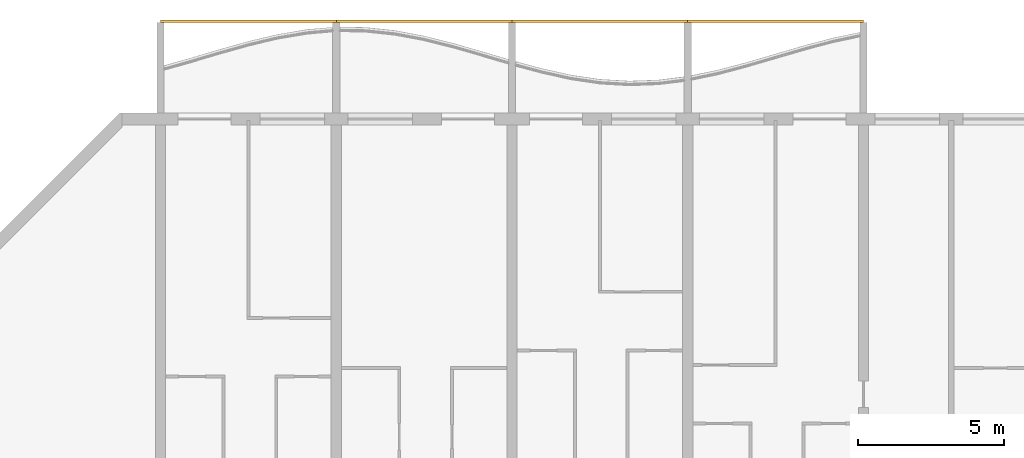
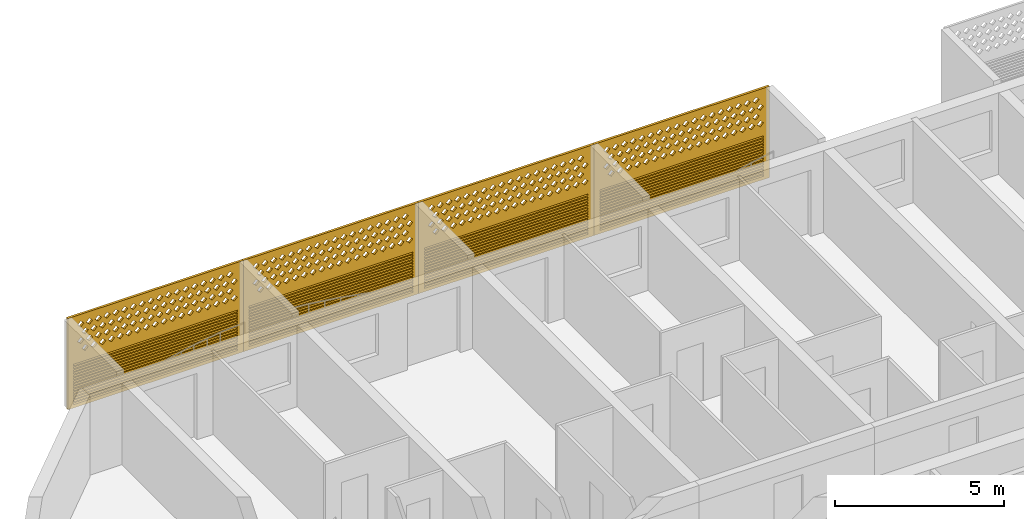
# One storey, part 18 of 24: 4 coverings.
"""IFC4 building model written with IfcOpenShell, lengths in metres."""

from ifc_helpers import new_model, si_unit, direction, frame, origin, place, context, subcontext, project, spatial, polyline, outline, extrude, source, transform, mapped, material, material_profile, profile_set, type_object, element, save


model = new_model("IFC4")

# Units and contexts
model_context = context("Model", 3, precision=1e-05, world=origin(), true_north=direction((0.0, 1.0)))
body_context = subcontext(model_context, "Body", "Model", "MODEL_VIEW")
ifc_project = project(units=[si_unit("LENGTHUNIT", "METRE"), si_unit("AREAUNIT", "SQUARE_METRE"), si_unit("VOLUMEUNIT", "CUBIC_METRE"), si_unit("PLANEANGLEUNIT", "RADIAN"), si_unit("MASSUNIT", "GRAM", prefix="KILO")], contexts=[model_context])

# Site, building, storey
site_placement = place(None, origin())
site = spatial("IfcSite", under=ifc_project, at=site_placement, CompositionType="ELEMENT")
building_placement = place(site_placement, origin())
building = spatial("IfcBuilding", under=site, at=building_placement, Name="Poui Terraces", CompositionType="ELEMENT")
storey_placement = place(building_placement, frame((0.0, 0.0, 112.5)))
storey = spatial("IfcBuildingStorey", under=building, at=storey_placement, Name="L31", CompositionType="ELEMENT", Elevation=112.5)

# Coverings
ifc_material = material(Name="Terracotta screen", Category="masonry")
ifc_material_profile = material_profile(ifc_material, outline(polyline([(-3.0, -1.64990234375), (3.0, -1.64990234375), (3.0, 1.64990234375), (-3.0, 1.64990234375), (-3.0, -1.64990234375)]), holes=[polyline([(-2.800048828125, 0.39990234375), (-2.68994140625, 0.2900390625), (-2.580078125, 0.39990234375), (-2.68994140625, 0.510009765625), (-2.800048828125, 0.39990234375)]), polyline([(-2.5, 0.39990234375), (-2.389892578125, 0.2900390625), (-2.280029296875, 0.39990234375), (-2.389892578125, 0.510009765625), (-2.5, 0.39990234375)]), polyline([(-2.199951171875, 0.39990234375), (-2.090087890625, 0.2900390625), (-1.97998046875, 0.39990234375), (-2.090087890625, 0.510009765625), (-2.199951171875, 0.39990234375)]), polyline([(-1.89990234375, 0.39990234375), (-1.7900390625, 0.2900390625), (-1.679931640625, 0.39990234375), (-1.7900390625, 0.510009765625), (-1.89990234375, 0.39990234375)]), polyline([(-1.60009765625, 0.39990234375), (-1.489990234375, 0.2900390625), (-1.3798828125, 0.39990234375), (-1.489990234375, 0.510009765625), (-1.60009765625, 0.39990234375)]), polyline([(-1.300048828125, 0.39990234375), (-1.18994140625, 0.2900390625), (-1.080078125, 0.39990234375), (-1.18994140625, 0.510009765625), (-1.300048828125, 0.39990234375)]), polyline([(-1.0, 0.39990234375), (-0.889892578125, 0.2900390625), (-0.780029296875, 0.39990234375), (-0.889892578125, 0.510009765625), (-1.0, 0.39990234375)]), polyline([(-0.699951171875, 0.39990234375), (-0.590087890625, 0.2900390625), (-0.47998046875, 0.39990234375), (-0.590087890625, 0.510009765625), (-0.699951171875, 0.39990234375)]), polyline([(-0.39990234375, 0.39990234375), (-0.2900390625, 0.2900390625), (-0.179931640625, 0.39990234375), (-0.2900390625, 0.510009765625), (-0.39990234375, 0.39990234375)]), polyline([(-0.10009765625, 0.39990234375), (0.010009765625, 0.2900390625), (0.1201171875, 0.39990234375), (0.010009765625, 0.510009765625), (-0.10009765625, 0.39990234375)]), polyline([(0.199951171875, 0.39990234375), (0.31005859375, 0.2900390625), (0.419921875, 0.39990234375), (0.31005859375, 0.510009765625), (0.199951171875, 0.39990234375)]), polyline([(0.5, 0.39990234375), (0.610107421875, 0.2900390625), (0.719970703125, 0.39990234375), (0.610107421875, 0.510009765625), (0.5, 0.39990234375)]), polyline([(0.800048828125, 0.39990234375), (0.909912109375, 0.2900390625), (1.02001953125, 0.39990234375), (0.909912109375, 0.510009765625), (0.800048828125, 0.39990234375)]), polyline([(1.10009765625, 0.39990234375), (1.2099609375, 0.2900390625), (1.320068359375, 0.39990234375), (1.2099609375, 0.510009765625), (1.10009765625, 0.39990234375)]), polyline([(1.39990234375, 0.39990234375), (1.510009765625, 0.2900390625), (1.6201171875, 0.39990234375), (1.510009765625, 0.510009765625), (1.39990234375, 0.39990234375)]), polyline([(1.699951171875, 0.39990234375), (1.81005859375, 0.2900390625), (1.919921875, 0.39990234375), (1.81005859375, 0.510009765625), (1.699951171875, 0.39990234375)]), polyline([(2.0, 0.39990234375), (2.110107421875, 0.2900390625), (2.219970703125, 0.39990234375), (2.110107421875, 0.510009765625), (2.0, 0.39990234375)]), polyline([(2.300048828125, 0.39990234375), (2.409912109375, 0.2900390625), (2.52001953125, 0.39990234375), (2.409912109375, 0.510009765625), (2.300048828125, 0.39990234375)]), polyline([(-2.64990234375, 0.699951171875), (-2.5400390625, 0.590087890625), (-2.429931640625, 0.699951171875), (-2.5400390625, 0.81005859375), (-2.64990234375, 0.699951171875)]), polyline([(-2.35009765625, 0.699951171875), (-2.239990234375, 0.590087890625), (-2.1298828125, 0.699951171875), (-2.239990234375, 0.81005859375), (-2.35009765625, 0.699951171875)]), polyline([(-2.050048828125, 0.699951171875), (-1.93994140625, 0.590087890625), (-1.830078125, 0.699951171875), (-1.93994140625, 0.81005859375), (-2.050048828125, 0.699951171875)]), polyline([(-1.75, 0.699951171875), (-1.639892578125, 0.590087890625), (-1.530029296875, 0.699951171875), (-1.639892578125, 0.81005859375), (-1.75, 0.699951171875)]), polyline([(-1.449951171875, 0.699951171875), (-1.340087890625, 0.590087890625), (-1.22998046875, 0.699951171875), (-1.340087890625, 0.81005859375), (-1.449951171875, 0.699951171875)]), polyline([(-1.14990234375, 0.699951171875), (-1.0400390625, 0.590087890625), (-0.929931640625, 0.699951171875), (-1.0400390625, 0.81005859375), (-1.14990234375, 0.699951171875)]), polyline([(-0.85009765625, 0.699951171875), (-0.739990234375, 0.590087890625), (-0.6298828125, 0.699951171875), (-0.739990234375, 0.81005859375), (-0.85009765625, 0.699951171875)]), polyline([(-0.550048828125, 0.699951171875), (-0.43994140625, 0.590087890625), (-0.330078125, 0.699951171875), (-0.43994140625, 0.81005859375), (-0.550048828125, 0.699951171875)]), polyline([(-0.25, 0.699951171875), (-0.139892578125, 0.590087890625), (-0.030029296875, 0.699951171875), (-0.139892578125, 0.81005859375), (-0.25, 0.699951171875)]), polyline([(0.050048828125, 0.699951171875), (0.159912109375, 0.590087890625), (0.27001953125, 0.699951171875), (0.159912109375, 0.81005859375), (0.050048828125, 0.699951171875)]), polyline([(0.35009765625, 0.699951171875), (0.4599609375, 0.590087890625), (0.570068359375, 0.699951171875), (0.4599609375, 0.81005859375), (0.35009765625, 0.699951171875)]), polyline([(0.64990234375, 0.699951171875), (0.760009765625, 0.590087890625), (0.8701171875, 0.699951171875), (0.760009765625, 0.81005859375), (0.64990234375, 0.699951171875)]), polyline([(0.949951171875, 0.699951171875), (1.06005859375, 0.590087890625), (1.169921875, 0.699951171875), (1.06005859375, 0.81005859375), (0.949951171875, 0.699951171875)]), polyline([(1.25, 0.699951171875), (1.360107421875, 0.590087890625), (1.469970703125, 0.699951171875), (1.360107421875, 0.81005859375), (1.25, 0.699951171875)]), polyline([(1.550048828125, 0.699951171875), (1.659912109375, 0.590087890625), (1.77001953125, 0.699951171875), (1.659912109375, 0.81005859375), (1.550048828125, 0.699951171875)]), polyline([(1.85009765625, 0.699951171875), (1.9599609375, 0.590087890625), (2.070068359375, 0.699951171875), (1.9599609375, 0.81005859375), (1.85009765625, 0.699951171875)]), polyline([(2.14990234375, 0.699951171875), (2.260009765625, 0.590087890625), (2.3701171875, 0.699951171875), (2.260009765625, 0.81005859375), (2.14990234375, 0.699951171875)]), polyline([(2.449951171875, 0.699951171875), (2.56005859375, 0.590087890625), (2.669921875, 0.699951171875), (2.56005859375, 0.81005859375), (2.449951171875, 0.699951171875)]), polyline([(-2.800048828125, 1.0), (-2.68994140625, 0.889892578125), (-2.580078125, 1.0), (-2.68994140625, 1.110107421875), (-2.800048828125, 1.0)]), polyline([(-2.5, 1.0), (-2.389892578125, 0.889892578125), (-2.280029296875, 1.0), (-2.389892578125, 1.110107421875), (-2.5, 1.0)]), polyline([(-2.199951171875, 1.0), (-2.090087890625, 0.889892578125), (-1.97998046875, 1.0), (-2.090087890625, 1.110107421875), (-2.199951171875, 1.0)]), polyline([(-1.89990234375, 1.0), (-1.7900390625, 0.889892578125), (-1.679931640625, 1.0), (-1.7900390625, 1.110107421875), (-1.89990234375, 1.0)]), polyline([(-1.60009765625, 1.0), (-1.489990234375, 0.889892578125), (-1.3798828125, 1.0), (-1.489990234375, 1.110107421875), (-1.60009765625, 1.0)]), polyline([(-1.300048828125, 1.0), (-1.18994140625, 0.889892578125), (-1.080078125, 1.0), (-1.18994140625, 1.110107421875), (-1.300048828125, 1.0)]), polyline([(-1.0, 1.0), (-0.889892578125, 0.889892578125), (-0.780029296875, 1.0), (-0.889892578125, 1.110107421875), (-1.0, 1.0)]), polyline([(-0.699951171875, 1.0), (-0.590087890625, 0.889892578125), (-0.47998046875, 1.0), (-0.590087890625, 1.110107421875), (-0.699951171875, 1.0)]), polyline([(-0.39990234375, 1.0), (-0.2900390625, 0.889892578125), (-0.179931640625, 1.0), (-0.2900390625, 1.110107421875), (-0.39990234375, 1.0)]), polyline([(-0.10009765625, 1.0), (0.010009765625, 0.889892578125), (0.1201171875, 1.0), (0.010009765625, 1.110107421875), (-0.10009765625, 1.0)]), polyline([(0.199951171875, 1.0), (0.31005859375, 0.889892578125), (0.419921875, 1.0), (0.31005859375, 1.110107421875), (0.199951171875, 1.0)]), polyline([(0.5, 1.0), (0.610107421875, 0.889892578125), (0.719970703125, 1.0), (0.610107421875, 1.110107421875), (0.5, 1.0)]), polyline([(0.800048828125, 1.0), (0.909912109375, 0.889892578125), (1.02001953125, 1.0), (0.909912109375, 1.110107421875), (0.800048828125, 1.0)]), polyline([(1.10009765625, 1.0), (1.2099609375, 0.889892578125), (1.320068359375, 1.0), (1.2099609375, 1.110107421875), (1.10009765625, 1.0)]), polyline([(1.39990234375, 1.0), (1.510009765625, 0.889892578125), (1.6201171875, 1.0), (1.510009765625, 1.110107421875), (1.39990234375, 1.0)]), polyline([(1.699951171875, 1.0), (1.81005859375, 0.889892578125), (1.919921875, 1.0), (1.81005859375, 1.110107421875), (1.699951171875, 1.0)]), polyline([(2.0, 1.0), (2.110107421875, 0.889892578125), (2.219970703125, 1.0), (2.110107421875, 1.110107421875), (2.0, 1.0)]), polyline([(2.300048828125, 1.0), (2.409912109375, 0.889892578125), (2.52001953125, 1.0), (2.409912109375, 1.110107421875), (2.300048828125, 1.0)]), polyline([(-2.64990234375, 1.300048828125), (-2.5400390625, 1.18994140625), (-2.429931640625, 1.300048828125), (-2.5400390625, 1.409912109375), (-2.64990234375, 1.300048828125)]), polyline([(-2.35009765625, 1.300048828125), (-2.239990234375, 1.18994140625), (-2.1298828125, 1.300048828125), (-2.239990234375, 1.409912109375), (-2.35009765625, 1.300048828125)]), polyline([(-2.050048828125, 1.300048828125), (-1.93994140625, 1.18994140625), (-1.830078125, 1.300048828125), (-1.93994140625, 1.409912109375), (-2.050048828125, 1.300048828125)]), polyline([(-1.75, 1.300048828125), (-1.639892578125, 1.18994140625), (-1.530029296875, 1.300048828125), (-1.639892578125, 1.409912109375), (-1.75, 1.300048828125)]), polyline([(-1.449951171875, 1.300048828125), (-1.340087890625, 1.18994140625), (-1.22998046875, 1.300048828125), (-1.340087890625, 1.409912109375), (-1.449951171875, 1.300048828125)]), polyline([(-1.14990234375, 1.300048828125), (-1.0400390625, 1.18994140625), (-0.929931640625, 1.300048828125), (-1.0400390625, 1.409912109375), (-1.14990234375, 1.300048828125)]), polyline([(-0.85009765625, 1.300048828125), (-0.739990234375, 1.18994140625), (-0.6298828125, 1.300048828125), (-0.739990234375, 1.409912109375), (-0.85009765625, 1.300048828125)]), polyline([(-0.550048828125, 1.300048828125), (-0.43994140625, 1.18994140625), (-0.330078125, 1.300048828125), (-0.43994140625, 1.409912109375), (-0.550048828125, 1.300048828125)]), polyline([(-0.25, 1.300048828125), (-0.139892578125, 1.18994140625), (-0.030029296875, 1.300048828125), (-0.139892578125, 1.409912109375), (-0.25, 1.300048828125)]), polyline([(0.050048828125, 1.300048828125), (0.159912109375, 1.18994140625), (0.27001953125, 1.300048828125), (0.159912109375, 1.409912109375), (0.050048828125, 1.300048828125)]), polyline([(0.35009765625, 1.300048828125), (0.4599609375, 1.18994140625), (0.570068359375, 1.300048828125), (0.4599609375, 1.409912109375), (0.35009765625, 1.300048828125)]), polyline([(0.64990234375, 1.300048828125), (0.760009765625, 1.18994140625), (0.8701171875, 1.300048828125), (0.760009765625, 1.409912109375), (0.64990234375, 1.300048828125)]), polyline([(0.949951171875, 1.300048828125), (1.06005859375, 1.18994140625), (1.169921875, 1.300048828125), (1.06005859375, 1.409912109375), (0.949951171875, 1.300048828125)]), polyline([(1.25, 1.300048828125), (1.360107421875, 1.18994140625), (1.469970703125, 1.300048828125), (1.360107421875, 1.409912109375), (1.25, 1.300048828125)]), polyline([(1.550048828125, 1.300048828125), (1.659912109375, 1.18994140625), (1.77001953125, 1.300048828125), (1.659912109375, 1.409912109375), (1.550048828125, 1.300048828125)]), polyline([(1.85009765625, 1.300048828125), (1.9599609375, 1.18994140625), (2.070068359375, 1.300048828125), (1.9599609375, 1.409912109375), (1.85009765625, 1.300048828125)]), polyline([(2.14990234375, 1.300048828125), (2.260009765625, 1.18994140625), (2.3701171875, 1.300048828125), (2.260009765625, 1.409912109375), (2.14990234375, 1.300048828125)]), polyline([(2.449951171875, 1.300048828125), (2.56005859375, 1.18994140625), (2.669921875, 1.300048828125), (2.56005859375, 1.409912109375), (2.449951171875, 1.300048828125)]), polyline([(-2.800048828125, -1.530029296875), (2.800048828125, -1.530029296875), (2.800048828125, -1.469970703125), (-2.800048828125, -1.469970703125), (-2.800048828125, -1.530029296875)]), polyline([(-2.800048828125, -1.429931640625), (2.800048828125, -1.429931640625), (2.800048828125, -1.3701171875), (-2.800048828125, -1.3701171875), (-2.800048828125, -1.429931640625)]), polyline([(-2.800048828125, -1.330078125), (2.800048828125, -1.330078125), (2.800048828125, -1.27001953125), (-2.800048828125, -1.27001953125), (-2.800048828125, -1.330078125)]), polyline([(-2.800048828125, -1.22998046875), (2.800048828125, -1.22998046875), (2.800048828125, -1.169921875), (-2.800048828125, -1.169921875), (-2.800048828125, -1.22998046875)]), polyline([(-2.800048828125, -1.1298828125), (2.800048828125, -1.1298828125), (2.800048828125, -1.070068359375), (-2.800048828125, -1.070068359375), (-2.800048828125, -1.1298828125)]), polyline([(-2.800048828125, -1.030029296875), (2.800048828125, -1.030029296875), (2.800048828125, -0.969970703125), (-2.800048828125, -0.969970703125), (-2.800048828125, -1.030029296875)]), polyline([(-2.800048828125, -0.929931640625), (2.800048828125, -0.929931640625), (2.800048828125, -0.8701171875), (-2.800048828125, -0.8701171875), (-2.800048828125, -0.929931640625)]), polyline([(-2.800048828125, -0.830078125), (2.800048828125, -0.830078125), (2.800048828125, -0.77001953125), (-2.800048828125, -0.77001953125), (-2.800048828125, -0.830078125)]), polyline([(-2.800048828125, -0.72998046875), (2.800048828125, -0.72998046875), (2.800048828125, -0.669921875), (-2.800048828125, -0.669921875), (-2.800048828125, -0.72998046875)]), polyline([(-2.800048828125, -0.6298828125), (2.800048828125, -0.6298828125), (2.800048828125, -0.570068359375), (-2.800048828125, -0.570068359375), (-2.800048828125, -0.6298828125)]), polyline([(-2.800048828125, -0.530029296875), (2.800048828125, -0.530029296875), (2.800048828125, -0.469970703125), (-2.800048828125, -0.469970703125), (-2.800048828125, -0.530029296875)]), polyline([(-2.800048828125, -0.429931640625), (2.800048828125, -0.429931640625), (2.800048828125, -0.3701171875), (-2.800048828125, -0.3701171875), (-2.800048828125, -0.429931640625)]), polyline([(-2.800048828125, -0.330078125), (2.800048828125, -0.330078125), (2.800048828125, -0.27001953125), (-2.800048828125, -0.27001953125), (-2.800048828125, -0.330078125)]), polyline([(-2.800048828125, -0.22998046875), (2.800048828125, -0.22998046875), (2.800048828125, -0.169921875), (-2.800048828125, -0.169921875), (-2.800048828125, -0.22998046875)]), polyline([(-2.800048828125, -0.1298828125), (2.800048828125, -0.1298828125), (2.800048828125, -0.070068359375), (-2.800048828125, -0.070068359375), (-2.800048828125, -0.1298828125)])]), Name="TERRACOTTA SCREEN AND JALOUSIE LOUVRE 6000X3300")
ifc_profile_set = profile_set([ifc_material_profile], Name="Terracotta screen")
covering_type = type_object("IfcCoveringType", Name="TERRACOTTA SCREEN AND JALOUSIE LOUVRE 6000X3300", PredefinedType="CLADDING", material=ifc_profile_set)
shared_shape = source(origin(), body_context, "Body", "SweptSolid", [
    extrude(outline(polyline([(-3.0, -1.64990234375), (3.0, -1.64990234375), (3.0, 1.64990234375), (-3.0, 1.64990234375), (-3.0, -1.64990234375)]), holes=[polyline([(-2.800048828125, 0.39990234375), (-2.68994140625, 0.2900390625), (-2.580078125, 0.39990234375), (-2.68994140625, 0.510009765625), (-2.800048828125, 0.39990234375)]), polyline([(-2.5, 0.39990234375), (-2.389892578125, 0.2900390625), (-2.280029296875, 0.39990234375), (-2.389892578125, 0.510009765625), (-2.5, 0.39990234375)]), polyline([(-2.199951171875, 0.39990234375), (-2.090087890625, 0.2900390625), (-1.97998046875, 0.39990234375), (-2.090087890625, 0.510009765625), (-2.199951171875, 0.39990234375)]), polyline([(-1.89990234375, 0.39990234375), (-1.7900390625, 0.2900390625), (-1.679931640625, 0.39990234375), (-1.7900390625, 0.510009765625), (-1.89990234375, 0.39990234375)]), polyline([(-1.60009765625, 0.39990234375), (-1.489990234375, 0.2900390625), (-1.3798828125, 0.39990234375), (-1.489990234375, 0.510009765625), (-1.60009765625, 0.39990234375)]), polyline([(-1.300048828125, 0.39990234375), (-1.18994140625, 0.2900390625), (-1.080078125, 0.39990234375), (-1.18994140625, 0.510009765625), (-1.300048828125, 0.39990234375)]), polyline([(-1.0, 0.39990234375), (-0.889892578125, 0.2900390625), (-0.780029296875, 0.39990234375), (-0.889892578125, 0.510009765625), (-1.0, 0.39990234375)]), polyline([(-0.699951171875, 0.39990234375), (-0.590087890625, 0.2900390625), (-0.47998046875, 0.39990234375), (-0.590087890625, 0.510009765625), (-0.699951171875, 0.39990234375)]), polyline([(-0.39990234375, 0.39990234375), (-0.2900390625, 0.2900390625), (-0.179931640625, 0.39990234375), (-0.2900390625, 0.510009765625), (-0.39990234375, 0.39990234375)]), polyline([(-0.10009765625, 0.39990234375), (0.010009765625, 0.2900390625), (0.1201171875, 0.39990234375), (0.010009765625, 0.510009765625), (-0.10009765625, 0.39990234375)]), polyline([(0.199951171875, 0.39990234375), (0.31005859375, 0.2900390625), (0.419921875, 0.39990234375), (0.31005859375, 0.510009765625), (0.199951171875, 0.39990234375)]), polyline([(0.5, 0.39990234375), (0.610107421875, 0.2900390625), (0.719970703125, 0.39990234375), (0.610107421875, 0.510009765625), (0.5, 0.39990234375)]), polyline([(0.800048828125, 0.39990234375), (0.909912109375, 0.2900390625), (1.02001953125, 0.39990234375), (0.909912109375, 0.510009765625), (0.800048828125, 0.39990234375)]), polyline([(1.10009765625, 0.39990234375), (1.2099609375, 0.2900390625), (1.320068359375, 0.39990234375), (1.2099609375, 0.510009765625), (1.10009765625, 0.39990234375)]), polyline([(1.39990234375, 0.39990234375), (1.510009765625, 0.2900390625), (1.6201171875, 0.39990234375), (1.510009765625, 0.510009765625), (1.39990234375, 0.39990234375)]), polyline([(1.699951171875, 0.39990234375), (1.81005859375, 0.2900390625), (1.919921875, 0.39990234375), (1.81005859375, 0.510009765625), (1.699951171875, 0.39990234375)]), polyline([(2.0, 0.39990234375), (2.110107421875, 0.2900390625), (2.219970703125, 0.39990234375), (2.110107421875, 0.510009765625), (2.0, 0.39990234375)]), polyline([(2.300048828125, 0.39990234375), (2.409912109375, 0.2900390625), (2.52001953125, 0.39990234375), (2.409912109375, 0.510009765625), (2.300048828125, 0.39990234375)]), polyline([(-2.64990234375, 0.699951171875), (-2.5400390625, 0.590087890625), (-2.429931640625, 0.699951171875), (-2.5400390625, 0.81005859375), (-2.64990234375, 0.699951171875)]), polyline([(-2.35009765625, 0.699951171875), (-2.239990234375, 0.590087890625), (-2.1298828125, 0.699951171875), (-2.239990234375, 0.81005859375), (-2.35009765625, 0.699951171875)]), polyline([(-2.050048828125, 0.699951171875), (-1.93994140625, 0.590087890625), (-1.830078125, 0.699951171875), (-1.93994140625, 0.81005859375), (-2.050048828125, 0.699951171875)]), polyline([(-1.75, 0.699951171875), (-1.639892578125, 0.590087890625), (-1.530029296875, 0.699951171875), (-1.639892578125, 0.81005859375), (-1.75, 0.699951171875)]), polyline([(-1.449951171875, 0.699951171875), (-1.340087890625, 0.590087890625), (-1.22998046875, 0.699951171875), (-1.340087890625, 0.81005859375), (-1.449951171875, 0.699951171875)]), polyline([(-1.14990234375, 0.699951171875), (-1.0400390625, 0.590087890625), (-0.929931640625, 0.699951171875), (-1.0400390625, 0.81005859375), (-1.14990234375, 0.699951171875)]), polyline([(-0.85009765625, 0.699951171875), (-0.739990234375, 0.590087890625), (-0.6298828125, 0.699951171875), (-0.739990234375, 0.81005859375), (-0.85009765625, 0.699951171875)]), polyline([(-0.550048828125, 0.699951171875), (-0.43994140625, 0.590087890625), (-0.330078125, 0.699951171875), (-0.43994140625, 0.81005859375), (-0.550048828125, 0.699951171875)]), polyline([(-0.25, 0.699951171875), (-0.139892578125, 0.590087890625), (-0.030029296875, 0.699951171875), (-0.139892578125, 0.81005859375), (-0.25, 0.699951171875)]), polyline([(0.050048828125, 0.699951171875), (0.159912109375, 0.590087890625), (0.27001953125, 0.699951171875), (0.159912109375, 0.81005859375), (0.050048828125, 0.699951171875)]), polyline([(0.35009765625, 0.699951171875), (0.4599609375, 0.590087890625), (0.570068359375, 0.699951171875), (0.4599609375, 0.81005859375), (0.35009765625, 0.699951171875)]), polyline([(0.64990234375, 0.699951171875), (0.760009765625, 0.590087890625), (0.8701171875, 0.699951171875), (0.760009765625, 0.81005859375), (0.64990234375, 0.699951171875)]), polyline([(0.949951171875, 0.699951171875), (1.06005859375, 0.590087890625), (1.169921875, 0.699951171875), (1.06005859375, 0.81005859375), (0.949951171875, 0.699951171875)]), polyline([(1.25, 0.699951171875), (1.360107421875, 0.590087890625), (1.469970703125, 0.699951171875), (1.360107421875, 0.81005859375), (1.25, 0.699951171875)]), polyline([(1.550048828125, 0.699951171875), (1.659912109375, 0.590087890625), (1.77001953125, 0.699951171875), (1.659912109375, 0.81005859375), (1.550048828125, 0.699951171875)]), polyline([(1.85009765625, 0.699951171875), (1.9599609375, 0.590087890625), (2.070068359375, 0.699951171875), (1.9599609375, 0.81005859375), (1.85009765625, 0.699951171875)]), polyline([(2.14990234375, 0.699951171875), (2.260009765625, 0.590087890625), (2.3701171875, 0.699951171875), (2.260009765625, 0.81005859375), (2.14990234375, 0.699951171875)]), polyline([(2.449951171875, 0.699951171875), (2.56005859375, 0.590087890625), (2.669921875, 0.699951171875), (2.56005859375, 0.81005859375), (2.449951171875, 0.699951171875)]), polyline([(-2.800048828125, 1.0), (-2.68994140625, 0.889892578125), (-2.580078125, 1.0), (-2.68994140625, 1.110107421875), (-2.800048828125, 1.0)]), polyline([(-2.5, 1.0), (-2.389892578125, 0.889892578125), (-2.280029296875, 1.0), (-2.389892578125, 1.110107421875), (-2.5, 1.0)]), polyline([(-2.199951171875, 1.0), (-2.090087890625, 0.889892578125), (-1.97998046875, 1.0), (-2.090087890625, 1.110107421875), (-2.199951171875, 1.0)]), polyline([(-1.89990234375, 1.0), (-1.7900390625, 0.889892578125), (-1.679931640625, 1.0), (-1.7900390625, 1.110107421875), (-1.89990234375, 1.0)]), polyline([(-1.60009765625, 1.0), (-1.489990234375, 0.889892578125), (-1.3798828125, 1.0), (-1.489990234375, 1.110107421875), (-1.60009765625, 1.0)]), polyline([(-1.300048828125, 1.0), (-1.18994140625, 0.889892578125), (-1.080078125, 1.0), (-1.18994140625, 1.110107421875), (-1.300048828125, 1.0)]), polyline([(-1.0, 1.0), (-0.889892578125, 0.889892578125), (-0.780029296875, 1.0), (-0.889892578125, 1.110107421875), (-1.0, 1.0)]), polyline([(-0.699951171875, 1.0), (-0.590087890625, 0.889892578125), (-0.47998046875, 1.0), (-0.590087890625, 1.110107421875), (-0.699951171875, 1.0)]), polyline([(-0.39990234375, 1.0), (-0.2900390625, 0.889892578125), (-0.179931640625, 1.0), (-0.2900390625, 1.110107421875), (-0.39990234375, 1.0)]), polyline([(-0.10009765625, 1.0), (0.010009765625, 0.889892578125), (0.1201171875, 1.0), (0.010009765625, 1.110107421875), (-0.10009765625, 1.0)]), polyline([(0.199951171875, 1.0), (0.31005859375, 0.889892578125), (0.419921875, 1.0), (0.31005859375, 1.110107421875), (0.199951171875, 1.0)]), polyline([(0.5, 1.0), (0.610107421875, 0.889892578125), (0.719970703125, 1.0), (0.610107421875, 1.110107421875), (0.5, 1.0)]), polyline([(0.800048828125, 1.0), (0.909912109375, 0.889892578125), (1.02001953125, 1.0), (0.909912109375, 1.110107421875), (0.800048828125, 1.0)]), polyline([(1.10009765625, 1.0), (1.2099609375, 0.889892578125), (1.320068359375, 1.0), (1.2099609375, 1.110107421875), (1.10009765625, 1.0)]), polyline([(1.39990234375, 1.0), (1.510009765625, 0.889892578125), (1.6201171875, 1.0), (1.510009765625, 1.110107421875), (1.39990234375, 1.0)]), polyline([(1.699951171875, 1.0), (1.81005859375, 0.889892578125), (1.919921875, 1.0), (1.81005859375, 1.110107421875), (1.699951171875, 1.0)]), polyline([(2.0, 1.0), (2.110107421875, 0.889892578125), (2.219970703125, 1.0), (2.110107421875, 1.110107421875), (2.0, 1.0)]), polyline([(2.300048828125, 1.0), (2.409912109375, 0.889892578125), (2.52001953125, 1.0), (2.409912109375, 1.110107421875), (2.300048828125, 1.0)]), polyline([(-2.64990234375, 1.300048828125), (-2.5400390625, 1.18994140625), (-2.429931640625, 1.300048828125), (-2.5400390625, 1.409912109375), (-2.64990234375, 1.300048828125)]), polyline([(-2.35009765625, 1.300048828125), (-2.239990234375, 1.18994140625), (-2.1298828125, 1.300048828125), (-2.239990234375, 1.409912109375), (-2.35009765625, 1.300048828125)]), polyline([(-2.050048828125, 1.300048828125), (-1.93994140625, 1.18994140625), (-1.830078125, 1.300048828125), (-1.93994140625, 1.409912109375), (-2.050048828125, 1.300048828125)]), polyline([(-1.75, 1.300048828125), (-1.639892578125, 1.18994140625), (-1.530029296875, 1.300048828125), (-1.639892578125, 1.409912109375), (-1.75, 1.300048828125)]), polyline([(-1.449951171875, 1.300048828125), (-1.340087890625, 1.18994140625), (-1.22998046875, 1.300048828125), (-1.340087890625, 1.409912109375), (-1.449951171875, 1.300048828125)]), polyline([(-1.14990234375, 1.300048828125), (-1.0400390625, 1.18994140625), (-0.929931640625, 1.300048828125), (-1.0400390625, 1.409912109375), (-1.14990234375, 1.300048828125)]), polyline([(-0.85009765625, 1.300048828125), (-0.739990234375, 1.18994140625), (-0.6298828125, 1.300048828125), (-0.739990234375, 1.409912109375), (-0.85009765625, 1.300048828125)]), polyline([(-0.550048828125, 1.300048828125), (-0.43994140625, 1.18994140625), (-0.330078125, 1.300048828125), (-0.43994140625, 1.409912109375), (-0.550048828125, 1.300048828125)]), polyline([(-0.25, 1.300048828125), (-0.139892578125, 1.18994140625), (-0.030029296875, 1.300048828125), (-0.139892578125, 1.409912109375), (-0.25, 1.300048828125)]), polyline([(0.050048828125, 1.300048828125), (0.159912109375, 1.18994140625), (0.27001953125, 1.300048828125), (0.159912109375, 1.409912109375), (0.050048828125, 1.300048828125)]), polyline([(0.35009765625, 1.300048828125), (0.4599609375, 1.18994140625), (0.570068359375, 1.300048828125), (0.4599609375, 1.409912109375), (0.35009765625, 1.300048828125)]), polyline([(0.64990234375, 1.300048828125), (0.760009765625, 1.18994140625), (0.8701171875, 1.300048828125), (0.760009765625, 1.409912109375), (0.64990234375, 1.300048828125)]), polyline([(0.949951171875, 1.300048828125), (1.06005859375, 1.18994140625), (1.169921875, 1.300048828125), (1.06005859375, 1.409912109375), (0.949951171875, 1.300048828125)]), polyline([(1.25, 1.300048828125), (1.360107421875, 1.18994140625), (1.469970703125, 1.300048828125), (1.360107421875, 1.409912109375), (1.25, 1.300048828125)]), polyline([(1.550048828125, 1.300048828125), (1.659912109375, 1.18994140625), (1.77001953125, 1.300048828125), (1.659912109375, 1.409912109375), (1.550048828125, 1.300048828125)]), polyline([(1.85009765625, 1.300048828125), (1.9599609375, 1.18994140625), (2.070068359375, 1.300048828125), (1.9599609375, 1.409912109375), (1.85009765625, 1.300048828125)]), polyline([(2.14990234375, 1.300048828125), (2.260009765625, 1.18994140625), (2.3701171875, 1.300048828125), (2.260009765625, 1.409912109375), (2.14990234375, 1.300048828125)]), polyline([(2.449951171875, 1.300048828125), (2.56005859375, 1.18994140625), (2.669921875, 1.300048828125), (2.56005859375, 1.409912109375), (2.449951171875, 1.300048828125)]), polyline([(-2.800048828125, -1.530029296875), (2.800048828125, -1.530029296875), (2.800048828125, -1.469970703125), (-2.800048828125, -1.469970703125), (-2.800048828125, -1.530029296875)]), polyline([(-2.800048828125, -1.429931640625), (2.800048828125, -1.429931640625), (2.800048828125, -1.3701171875), (-2.800048828125, -1.3701171875), (-2.800048828125, -1.429931640625)]), polyline([(-2.800048828125, -1.330078125), (2.800048828125, -1.330078125), (2.800048828125, -1.27001953125), (-2.800048828125, -1.27001953125), (-2.800048828125, -1.330078125)]), polyline([(-2.800048828125, -1.22998046875), (2.800048828125, -1.22998046875), (2.800048828125, -1.169921875), (-2.800048828125, -1.169921875), (-2.800048828125, -1.22998046875)]), polyline([(-2.800048828125, -1.1298828125), (2.800048828125, -1.1298828125), (2.800048828125, -1.070068359375), (-2.800048828125, -1.070068359375), (-2.800048828125, -1.1298828125)]), polyline([(-2.800048828125, -1.030029296875), (2.800048828125, -1.030029296875), (2.800048828125, -0.969970703125), (-2.800048828125, -0.969970703125), (-2.800048828125, -1.030029296875)]), polyline([(-2.800048828125, -0.929931640625), (2.800048828125, -0.929931640625), (2.800048828125, -0.8701171875), (-2.800048828125, -0.8701171875), (-2.800048828125, -0.929931640625)]), polyline([(-2.800048828125, -0.830078125), (2.800048828125, -0.830078125), (2.800048828125, -0.77001953125), (-2.800048828125, -0.77001953125), (-2.800048828125, -0.830078125)]), polyline([(-2.800048828125, -0.72998046875), (2.800048828125, -0.72998046875), (2.800048828125, -0.669921875), (-2.800048828125, -0.669921875), (-2.800048828125, -0.72998046875)]), polyline([(-2.800048828125, -0.6298828125), (2.800048828125, -0.6298828125), (2.800048828125, -0.570068359375), (-2.800048828125, -0.570068359375), (-2.800048828125, -0.6298828125)]), polyline([(-2.800048828125, -0.530029296875), (2.800048828125, -0.530029296875), (2.800048828125, -0.469970703125), (-2.800048828125, -0.469970703125), (-2.800048828125, -0.530029296875)]), polyline([(-2.800048828125, -0.429931640625), (2.800048828125, -0.429931640625), (2.800048828125, -0.3701171875), (-2.800048828125, -0.3701171875), (-2.800048828125, -0.429931640625)]), polyline([(-2.800048828125, -0.330078125), (2.800048828125, -0.330078125), (2.800048828125, -0.27001953125), (-2.800048828125, -0.27001953125), (-2.800048828125, -0.330078125)]), polyline([(-2.800048828125, -0.22998046875), (2.800048828125, -0.22998046875), (2.800048828125, -0.169921875), (-2.800048828125, -0.169921875), (-2.800048828125, -0.22998046875)]), polyline([(-2.800048828125, -0.1298828125), (2.800048828125, -0.1298828125), (2.800048828125, -0.070068359375), (-2.800048828125, -0.070068359375), (-2.800048828125, -0.1298828125)])]), origin(), (0.0, 0.0, 1.0), 0.080078125),
])
for number, where, z_axis, x_axis, name in (
    (1, (21.0, 46.89990234375, 1.449951171875), (0.0, 1.0, 0.0), (-1.0, 0.0, 0.0), "SOLAR SCREEN AND JALOUSIE LOUVRE"),
    (2, (27.0, 46.89990234375, 1.449951171875), (0.0, 1.0, 0.0), (-1.0, 0.0, 0.0), "SOLAR SCREEN AND JALOUSIE LOUVRE"),
    (3, (33.0, 46.89990234375, 1.449951171875), (0.0, 1.0, 0.0), (-1.0, 0.0, 0.0), "SOLAR SCREEN AND JALOUSIE LOUVRE"),
    (4, (39.0, 46.89990234375, 1.449951171875), (0.0, 1.0, 0.0), (-1.0, 0.0, 0.0), "SOLAR SCREEN AND JALOUSIE LOUVRE"),
):
    element("IfcCovering", number, at=place(storey_placement, frame(where, z_axis=z_axis, x_axis=x_axis)), inside=storey, type_object=covering_type, Name=name, PredefinedType="CLADDING", context=body_context, shape_type="MappedRepresentation", body=[
        mapped(shared_shape, transform((0.0, 0.0, 0.0))),
    ])

save(model, "model.ifc")
